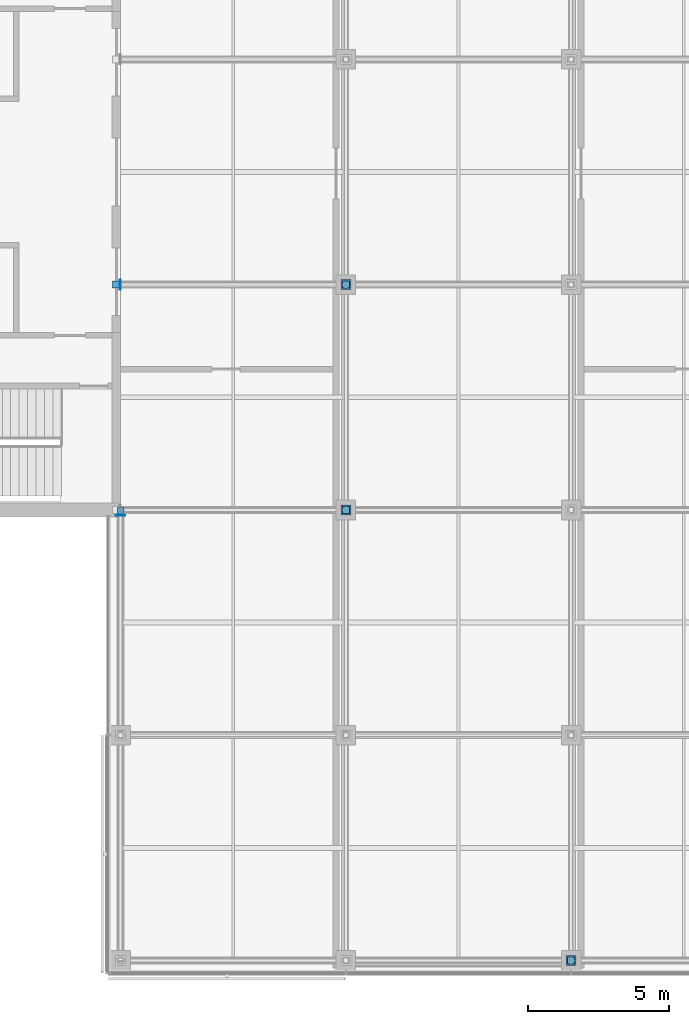
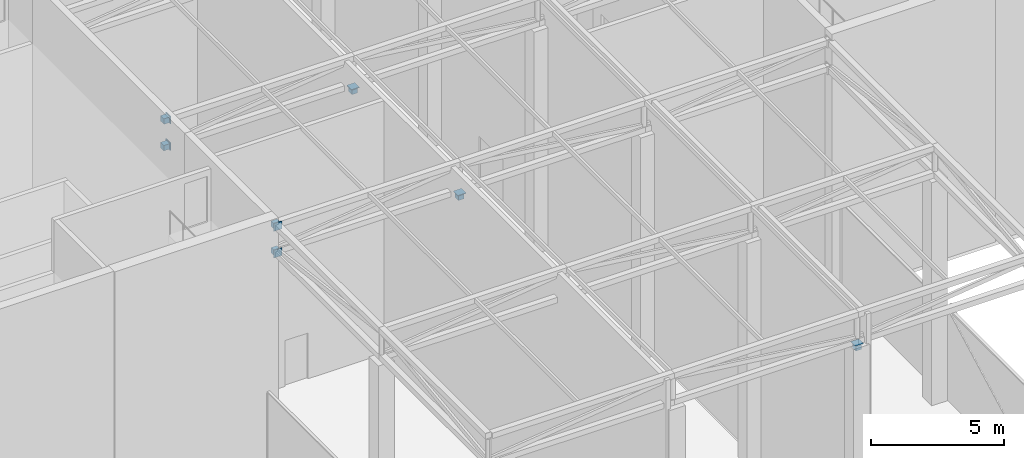
# One storey, part 16 of 23: 14 discrete accessories.
"""IFC4 building model written with IfcOpenShell, lengths in metres."""

from ifc_helpers import new_model, si_unit, direction, frame, origin, origin_2d, place, context, subcontext, project, spatial, rectangle, extrude, material, layer, layer_set, type_object, element, save


model = new_model("IFC4")

# Units and contexts
model_context = context("Model", 3, precision=1e-05, world=origin(), true_north=direction((0.0, 1.0)))
body_context = subcontext(model_context, "Body", "Model", "MODEL_VIEW")
ifc_project = project(units=[si_unit("LENGTHUNIT", "METRE"), si_unit("AREAUNIT", "SQUARE_METRE"), si_unit("VOLUMEUNIT", "CUBIC_METRE"), si_unit("PLANEANGLEUNIT", "RADIAN"), si_unit("MASSUNIT", "GRAM", prefix="KILO")], contexts=[model_context])

# Site, building, storey
site_placement = place(None, origin())
site = spatial("IfcSite", under=ifc_project, at=site_placement, CompositionType="ELEMENT")
building_placement = place(site_placement, origin())
building = spatial("IfcBuilding", under=site, at=building_placement, Name="Crosswind Convention Tower", CompositionType="ELEMENT")
storey_placement = place(building_placement, frame((0.0, 0.0, 349.10009765625)))
storey = spatial("IfcBuildingStorey", under=building, at=storey_placement, Name="L76", CompositionType="ELEMENT", Elevation=349.10009765625)

# Discrete accessories
ifc_material = material(Name="Steel S355", Category="steel")
ifc_layer = layer(ifc_material, 0.030029296875)
ifc_layer_set = layer_set([ifc_layer], Name="Steel S355")
discrete_accessory_type_1 = type_object("IfcDiscreteAccessoryType", Name="Cast-in plate 350 x 350 x 30", PredefinedType="ANCHORPLATE", material=ifc_layer_set)
for number, where, z_axis, x_axis, name in (
    (1, (112.985107421875, 96.0, 10.179931640625), (0.0, 0.0, 1.0), (1.0, 0.0, 0.0), "EP5 L76 cast-in plate"),
    (2, (112.985107421875, 96.0, 11.39990234375), (0.0, 0.0, 1.0), (1.0, 0.0, 0.0), "EP5 L76 cast-in plate"),
):
    element("IfcDiscreteAccessory", number, at=place(storey_placement, frame(where, z_axis=z_axis, x_axis=x_axis)), inside=storey, type_object=discrete_accessory_type_1, Name=name, PredefinedType="ANCHORPLATE", context=body_context, shape_type="SweptSolid", body=[
        extrude(rectangle(XDim=0.030029296875, YDim=0.35009765625, at=origin_2d()), origin(), (0.0, 0.0, 1.0), 0.35009765625),
    ])
for number, where, z_axis, x_axis, name in (
    (3, (113.0, 87.81494140625, 10.179931640625), (0.0, 0.0, 1.0), (1.0, 0.0, 0.0), "EP5 L76 cast-in plate"),
    (4, (113.0, 87.81494140625, 11.39990234375), (0.0, 0.0, 1.0), (1.0, 0.0, 0.0), "EP5 L76 cast-in plate"),
):
    element("IfcDiscreteAccessory", number, at=place(storey_placement, frame(where, z_axis=z_axis, x_axis=x_axis)), inside=storey, type_object=discrete_accessory_type_1, Name=name, PredefinedType="ANCHORPLATE", context=body_context, shape_type="SweptSolid", body=[
        extrude(rectangle(XDim=0.35009765625, YDim=0.030029296875, at=origin_2d()), origin(), (0.0, 0.0, 1.0), 0.35009765625),
    ])
for number, where, z_axis, x_axis, name in (
    (5, (121.0, 88.0, 10.19970703125), (0.0, 0.0, 1.0), (1.0, 0.0, 0.0), "EP5 L76 cast-in plate on column head"),
    (6, (121.0, 96.0, 10.19970703125), (0.0, 0.0, 1.0), (1.0, 0.0, 0.0), "EP5 L76 cast-in plate on column head"),
    (7, (129.0, 72.0, 10.19970703125), (0.0, 0.0, 1.0), (1.0, 0.0, 0.0), "EP5 L76 cast-in plate on column head"),
):
    element("IfcDiscreteAccessory", number, at=place(storey_placement, frame(where, z_axis=z_axis, x_axis=x_axis)), inside=storey, type_object=discrete_accessory_type_1, Name=name, PredefinedType="ANCHORPLATE", context=body_context, shape_type="SweptSolid", body=[
        extrude(rectangle(XDim=0.35009765625, YDim=0.35009765625, at=origin_2d()), origin(), (0.0, 0.0, 1.0), 0.030029296875),
    ])
discrete_accessory_type_2 = type_object("IfcDiscreteAccessoryType", Name="Headed stud group 250 x 250 x 250", PredefinedType="USERDEFINED", material=ifc_material)
for number, where, z_axis, x_axis, name in (
    (8, (112.844970703125, 96.0, 10.22998046875), (0.0, 0.0, 1.0), (1.0, 0.0, 0.0), "AB5 L76 headed stud group"),
    (9, (112.844970703125, 96.0, 11.449951171875), (0.0, 0.0, 1.0), (1.0, 0.0, 0.0), "AB5 L76 headed stud group"),
    (10, (113.0, 87.955078125, 10.22998046875), (0.0, 0.0, 1.0), (1.0, 0.0, 0.0), "AB5 L76 headed stud group"),
    (11, (113.0, 87.955078125, 11.449951171875), (0.0, 0.0, 1.0), (1.0, 0.0, 0.0), "AB5 L76 headed stud group"),
    (12, (121.0, 88.0, 9.949951171875), (0.0, 0.0, 1.0), (1.0, 0.0, 0.0), "AB5 L76 headed stud group in column head"),
    (13, (121.0, 96.0, 9.949951171875), (0.0, 0.0, 1.0), (1.0, 0.0, 0.0), "AB5 L76 headed stud group in column head"),
    (14, (129.0, 72.0, 9.949951171875), (0.0, 0.0, 1.0), (1.0, 0.0, 0.0), "AB5 L76 headed stud group in column head"),
):
    element("IfcDiscreteAccessory", number, at=place(storey_placement, frame(where, z_axis=z_axis, x_axis=x_axis)), inside=storey, type_object=discrete_accessory_type_2, Name=name, ObjectType="HEADED STUD GROUP", PredefinedType="USERDEFINED", context=body_context, shape_type="SweptSolid", body=[
        extrude(rectangle(XDim=0.25, YDim=0.25, at=origin_2d()), origin(), (0.0, 0.0, 1.0), 0.25),
    ])

save(model, "model.ifc")
